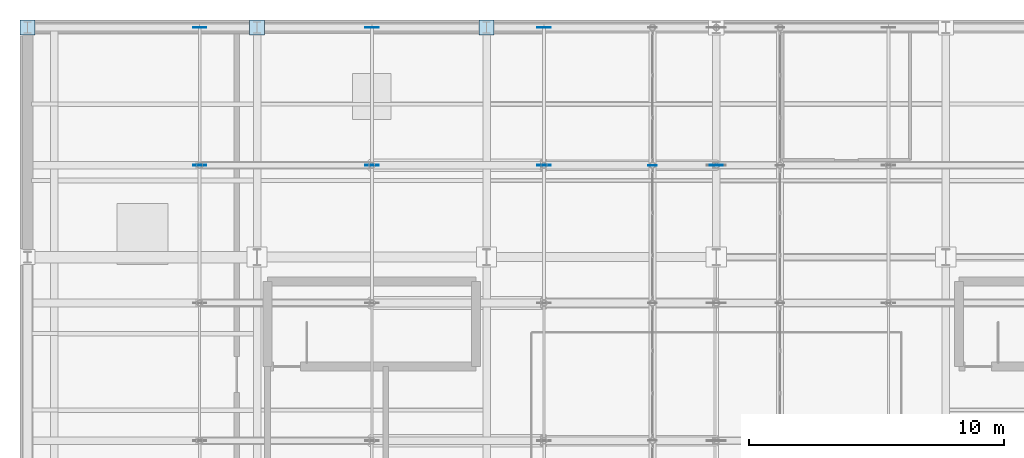
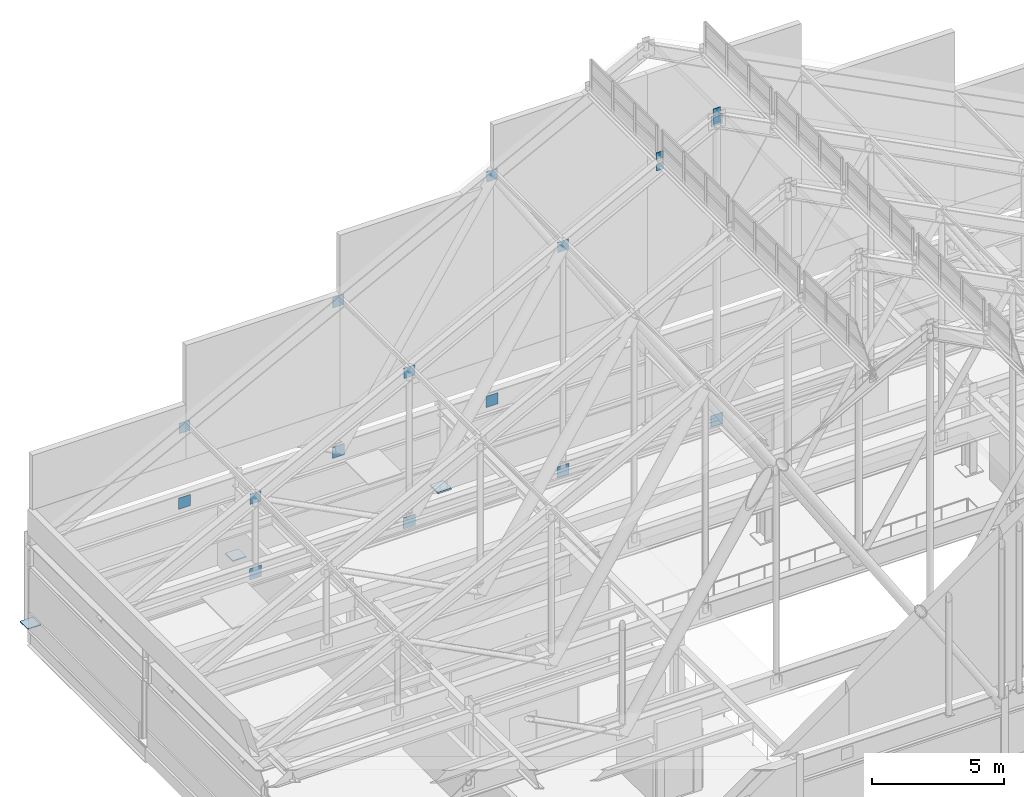
# One storey, part 79 of 84: 21 plates.
"""IFC4 building model written with IfcOpenShell, lengths in metres."""

from ifc_helpers import new_model, si_unit, direction, frame, origin, origin_2d, place, context, subcontext, project, spatial, rectangle, extrude, material, layer, layer_set, type_object, element, save


model = new_model("IFC4")

# Units and contexts
model_context = context("Model", 3, precision=1e-05, world=origin(), true_north=direction((0.0, 1.0)))
body_context = subcontext(model_context, "Body", "Model", "MODEL_VIEW")
ifc_project = project(units=[si_unit("LENGTHUNIT", "METRE"), si_unit("AREAUNIT", "SQUARE_METRE"), si_unit("VOLUMEUNIT", "CUBIC_METRE"), si_unit("PLANEANGLEUNIT", "RADIAN"), si_unit("MASSUNIT", "GRAM", prefix="KILO")], contexts=[model_context])

# Site, building, storey
site_placement = place(None, origin())
site = spatial("IfcSite", under=ifc_project, at=site_placement, CompositionType="ELEMENT")
building_placement = place(site_placement, origin())
building = spatial("IfcBuilding", under=site, at=building_placement, Name="Sundgate Opera House", CompositionType="ELEMENT")
storey_placement = place(building_placement, frame((0.0, 0.0, 30.60009765625)))
storey = spatial("IfcBuildingStorey", under=building, at=storey_placement, Name="L06", CompositionType="ELEMENT", Elevation=30.60009765625)

# Plates
ifc_material_1 = material(Name="Steel S355J2", Category="steel")
ifc_layer_1 = layer(ifc_material_1, 0.044921875)
ifc_layer_set_1 = layer_set([ifc_layer_1], Name="Steel S355J2")
plate_type_1 = type_object("IfcPlateType", Name="PT-BAS-45", PredefinedType="USERDEFINED", material=ifc_layer_set_1)
plate_1_placement = place(storey_placement, frame((27.0, 87.0, 0.0), z_axis=(0.0, 0.0, 1.0), x_axis=(1.0, 0.0, 0.0)))
element("IfcPlate", 1, at=plate_1_placement, inside=storey, type_object=plate_type_1, Name="L06 Base Plate PT0040", ObjectType="BASE PLATE", PredefinedType="USERDEFINED", context=body_context, shape_type="SweptSolid", body=[
    extrude(rectangle(XDim=0.590087890625, YDim=0.590087890625, at=origin_2d()), origin(), (0.0, 0.0, 1.0), 0.044921875),
])
ifc_material_2 = material(Name="Steel S355J2", Category="steel")
ifc_layer_2 = layer(ifc_material_2, 0.050048828125)
ifc_layer_set_2 = layer_set([ifc_layer_2], Name="Steel S355J2")
plate_type_2 = type_object("IfcPlateType", Name="PT-BAS-50", PredefinedType="USERDEFINED", material=ifc_layer_set_2)
plate_2_placement = place(storey_placement, frame((36.0, 87.0, 0.0), z_axis=(0.0, 0.0, 1.0), x_axis=(1.0, 0.0, 0.0)))
element("IfcPlate", 2, at=plate_2_placement, inside=storey, type_object=plate_type_2, Name="L06 Base Plate PT0058", ObjectType="BASE PLATE", PredefinedType="USERDEFINED", context=body_context, shape_type="SweptSolid", body=[
    extrude(rectangle(XDim=0.590087890625, YDim=0.590087890625, at=origin_2d()), origin(), (0.0, 0.0, 1.0), 0.050048828125),
])
ifc_material_3 = material(Name="Steel S355J2", Category="steel")
ifc_layer_3 = layer(ifc_material_3, 0.068115234375)
ifc_layer_set_3 = layer_set([ifc_layer_3], Name="Steel S355J2")
plate_type_3 = type_object("IfcPlateType", Name="PT-BAS-68", PredefinedType="USERDEFINED", material=ifc_layer_set_3)
plate_3_placement = place(storey_placement, frame((45.0, 87.0, 0.0), z_axis=(0.0, 0.0, 1.0), x_axis=(1.0, 0.0, 0.0)))
element("IfcPlate", 3, at=plate_3_placement, inside=storey, type_object=plate_type_3, Name="L06 Base Plate PT0076", ObjectType="BASE PLATE", PredefinedType="USERDEFINED", context=body_context, shape_type="SweptSolid", body=[
    extrude(rectangle(XDim=0.590087890625, YDim=0.590087890625, at=origin_2d()), origin(), (0.0, 0.0, 1.0), 0.068115234375),
])
ifc_material_4 = material(Name="Steel S355J2", Category="steel")
ifc_layer_4 = layer(ifc_material_4, 0.02001953125)
ifc_layer_set_4 = layer_set([ifc_layer_4], Name="Steel S355J2")
plate_type_4 = type_object("IfcPlateType", Name="PT-GUS-20", PredefinedType="USERDEFINED", material=ifc_layer_set_4)
for number, where, z_axis, x_axis, name in (
    (4, (51.5, 81.60009765625, 15.751953125), (0.0, 0.0, 1.0), (1.0, 0.0, 0.0), "L06 Lantern Post Base Gusset"),
    (5, (51.5, 81.60009765625, 16.27978515625), (0.0, 0.0, 1.0), (1.0, 0.0, 0.0), "L06 Lantern Post Cap Gusset"),
    (6, (54.0, 81.60009765625, 17.0400390625), (0.0, 0.0, 1.0), (1.0, 0.0, 0.0), "L06 Lantern Post Base Gusset"),
    (7, (54.0, 81.60009765625, 17.43994140625), (0.0, 0.0, 1.0), (1.0, 0.0, 0.0), "L06 Lantern Post Cap Gusset"),
):
    element("IfcPlate", number, at=place(storey_placement, frame(where, z_axis=z_axis, x_axis=x_axis)), inside=storey, type_object=plate_type_4, Name=name, ObjectType="GUSSET PLATE", PredefinedType="USERDEFINED", context=body_context, shape_type="SweptSolid", body=[
        extrude(rectangle(XDim=0.320068359375, YDim=0.02001953125, at=origin_2d()), origin(), (0.0, 0.0, 1.0), 0.320068359375),
    ])
ifc_material_5 = material(Name="Steel S355J2", Category="steel")
ifc_layer_5 = layer(ifc_material_5, 0.02490234375)
ifc_layer_set_5 = layer_set([ifc_layer_5], Name="Steel S355J2")
plate_type_5 = type_object("IfcPlateType", Name="PT-GUS-25", PredefinedType="USERDEFINED", material=ifc_layer_set_5)
plate_4_placement = place(storey_placement, frame((33.75, 81.60009765625, 6.52734375), z_axis=(0.0, 0.0, 1.0), x_axis=(1.0, 0.0, 0.0)))
element("IfcPlate", 8, at=plate_4_placement, inside=storey, type_object=plate_type_5, Name="L06 Truss Upper Node Gusset Plate", ObjectType="GUSSET PLATE", PredefinedType="USERDEFINED", context=body_context, shape_type="SweptSolid", body=[
    extrude(rectangle(XDim=0.47998046875, YDim=0.02490234375, at=origin_2d()), origin(), (0.0, 0.0, 1.0), 0.47998046875),
])
plate_5_placement = place(storey_placement, frame((40.5, 81.60009765625, 3.02978515625), z_axis=(0.0, 0.0, 1.0), x_axis=(1.0, 0.0, 0.0)))
element("IfcPlate", 9, at=plate_5_placement, inside=storey, type_object=plate_type_5, Name="L06 Truss Lower Node Gusset Plate", ObjectType="GUSSET PLATE", PredefinedType="USERDEFINED", context=body_context, shape_type="SweptSolid", body=[
    extrude(rectangle(XDim=0.52001953125, YDim=0.02490234375, at=origin_2d()), origin(), (0.0, 0.0, 1.0), 0.52001953125),
])
for number, where, z_axis, x_axis, name in (
    (10, (40.5, 81.60009765625, 10.0048828125), (0.0, 0.0, 1.0), (1.0, 0.0, 0.0), "L06 Truss Upper Node Gusset Plate"),
    (11, (47.25, 81.60009765625, 13.482421875), (0.0, 0.0, 1.0), (1.0, 0.0, 0.0), "L06 Truss Upper Node Gusset Plate"),
):
    element("IfcPlate", number, at=place(storey_placement, frame(where, z_axis=z_axis, x_axis=x_axis)), inside=storey, type_object=plate_type_5, Name=name, ObjectType="GUSSET PLATE", PredefinedType="USERDEFINED", context=body_context, shape_type="SweptSolid", body=[
        extrude(rectangle(XDim=0.47998046875, YDim=0.02490234375, at=origin_2d()), origin(), (0.0, 0.0, 1.0), 0.47998046875),
    ])
plate_6_placement = place(storey_placement, frame((54.0, 81.60009765625, 3.02978515625), z_axis=(0.0, 0.0, 1.0), x_axis=(1.0, 0.0, 0.0)))
element("IfcPlate", 12, at=plate_6_placement, inside=storey, type_object=plate_type_5, Name="L06 Truss Lower Node Gusset Plate", ObjectType="GUSSET PLATE", PredefinedType="USERDEFINED", context=body_context, shape_type="SweptSolid", body=[
    extrude(rectangle(XDim=0.52001953125, YDim=0.02490234375, at=origin_2d()), origin(), (0.0, 0.0, 1.0), 0.52001953125),
])
for number, where, z_axis, x_axis, name in (
    (13, (54.0, 81.60009765625, 16.9599609375), (0.0, 0.0, 1.0), (1.0, 0.0, 0.0), "L06 Truss Upper Node Gusset Plate"),
    (14, (33.75, 87.0, 6.52734375), (0.0, 0.0, 1.0), (1.0, 0.0, 0.0), "L06 Truss Upper Node Gusset Plate"),
):
    element("IfcPlate", number, at=place(storey_placement, frame(where, z_axis=z_axis, x_axis=x_axis)), inside=storey, type_object=plate_type_5, Name=name, ObjectType="GUSSET PLATE", PredefinedType="USERDEFINED", context=body_context, shape_type="SweptSolid", body=[
        extrude(rectangle(XDim=0.47998046875, YDim=0.02490234375, at=origin_2d()), origin(), (0.0, 0.0, 1.0), 0.47998046875),
    ])
plate_7_placement = place(storey_placement, frame((40.5, 87.0, 3.02978515625), z_axis=(0.0, 0.0, 1.0), x_axis=(1.0, 0.0, 0.0)))
element("IfcPlate", 15, at=plate_7_placement, inside=storey, type_object=plate_type_5, Name="L06 Truss Lower Node Gusset Plate", ObjectType="GUSSET PLATE", PredefinedType="USERDEFINED", context=body_context, shape_type="SweptSolid", body=[
    extrude(rectangle(XDim=0.52001953125, YDim=0.02490234375, at=origin_2d()), origin(), (0.0, 0.0, 1.0), 0.52001953125),
])
for number, where, z_axis, x_axis, name in (
    (16, (40.5, 87.0, 10.0048828125), (0.0, 0.0, 1.0), (1.0, 0.0, 0.0), "L06 Truss Upper Node Gusset Plate"),
    (17, (47.25, 87.0, 13.482421875), (0.0, 0.0, 1.0), (1.0, 0.0, 0.0), "L06 Truss Upper Node Gusset Plate"),
):
    element("IfcPlate", number, at=place(storey_placement, frame(where, z_axis=z_axis, x_axis=x_axis)), inside=storey, type_object=plate_type_5, Name=name, ObjectType="GUSSET PLATE", PredefinedType="USERDEFINED", context=body_context, shape_type="SweptSolid", body=[
        extrude(rectangle(XDim=0.47998046875, YDim=0.02490234375, at=origin_2d()), origin(), (0.0, 0.0, 1.0), 0.47998046875),
    ])
ifc_material_6 = material(Name="Steel S355J2", Category="steel")
ifc_layer_6 = layer(ifc_material_6, 0.028076171875)
ifc_layer_set_6 = layer_set([ifc_layer_6], Name="Steel S355J2")
plate_type_6 = type_object("IfcPlateType", Name="PT-GUS-28", PredefinedType="USERDEFINED", material=ifc_layer_set_6)
for number, where, z_axis, x_axis, name in (
    (18, (33.75, 81.60009765625, 3.02978515625), (0.0, 0.0, 1.0), (1.0, 0.0, 0.0), "L06 Truss Lower Node Gusset Plate"),
    (19, (47.25, 81.60009765625, 3.02978515625), (0.0, 0.0, 1.0), (1.0, 0.0, 0.0), "L06 Truss Lower Node Gusset Plate"),
    (20, (33.75, 87.0, 3.02978515625), (0.0, 0.0, 1.0), (1.0, 0.0, 0.0), "L06 Truss Lower Node Gusset Plate"),
    (21, (47.25, 87.0, 3.02978515625), (0.0, 0.0, 1.0), (1.0, 0.0, 0.0), "L06 Truss Lower Node Gusset Plate"),
):
    element("IfcPlate", number, at=place(storey_placement, frame(where, z_axis=z_axis, x_axis=x_axis)), inside=storey, type_object=plate_type_6, Name=name, ObjectType="GUSSET PLATE", PredefinedType="USERDEFINED", context=body_context, shape_type="SweptSolid", body=[
        extrude(rectangle(XDim=0.52001953125, YDim=0.028076171875, at=origin_2d()), origin(), (0.0, 0.0, 1.0), 0.52001953125),
    ])

save(model, "model.ifc")
